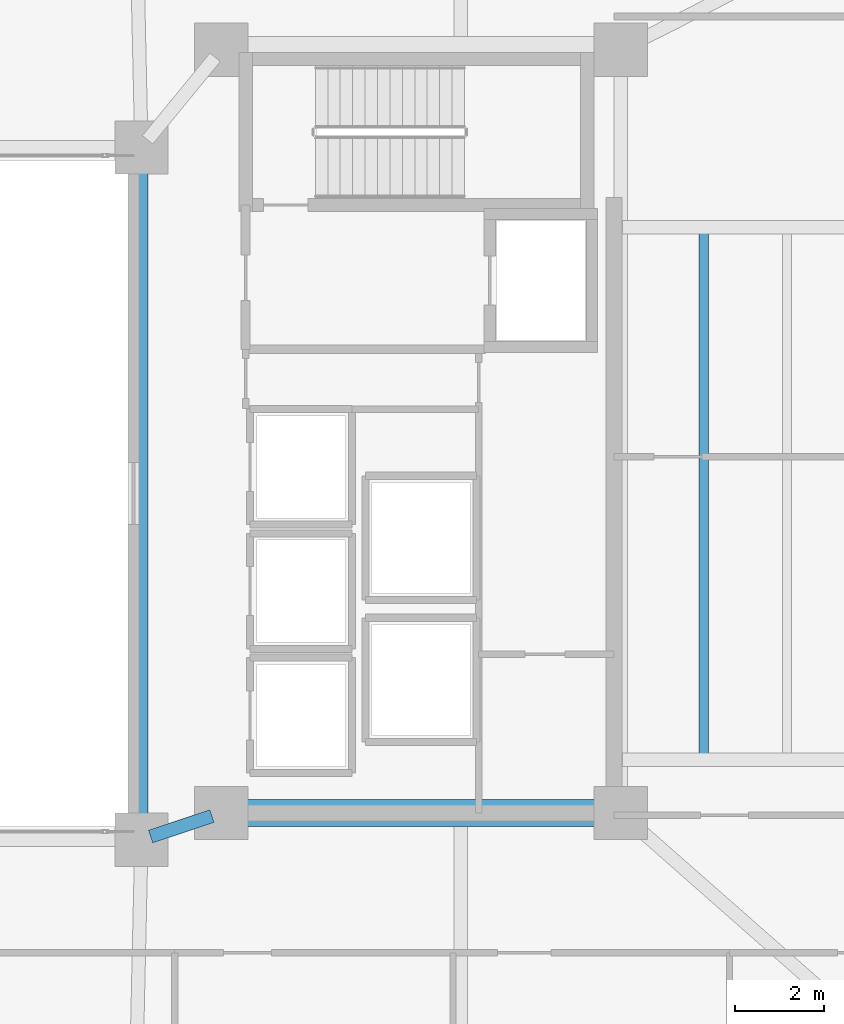
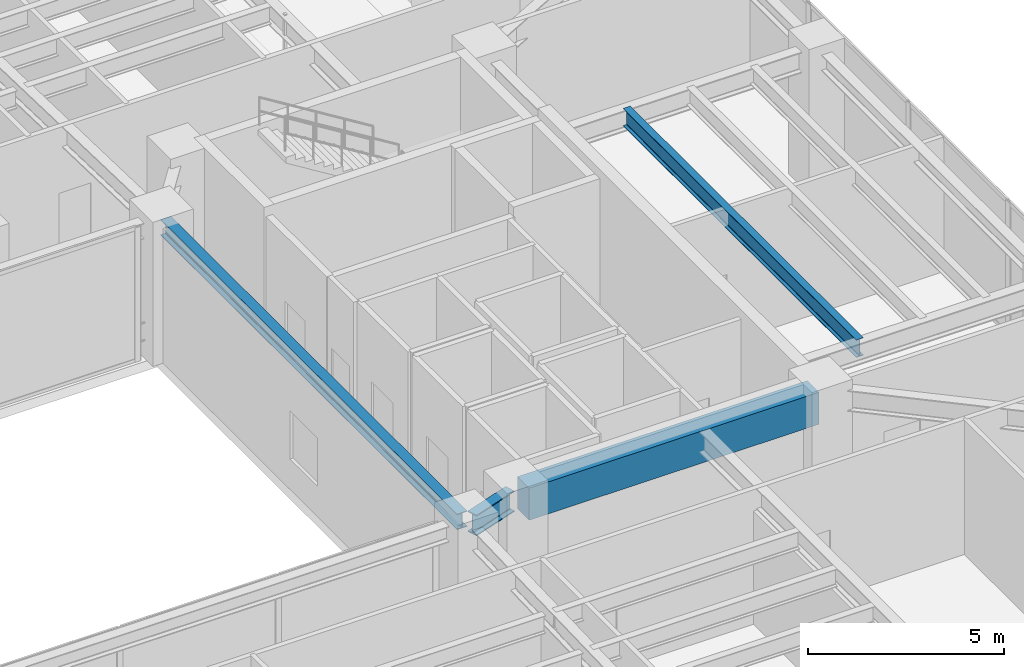
# One storey, part 16 of 38: 4 beams.
"""IFC4 building model written with IfcOpenShell, lengths in metres."""

from ifc_helpers import new_model, si_unit, direction, frame, origin, origin_2d, place, context, subcontext, project, spatial, rectangle, i_section, extrude, material, material_profile, profile_set, type_object, element, save


model = new_model("IFC4")

# Units and contexts
model_context = context("Model", 3, precision=1e-05, world=origin(), true_north=direction((0.0, 1.0)))
body_context = subcontext(model_context, "Body", "Model", "MODEL_VIEW")
ifc_project = project(units=[si_unit("LENGTHUNIT", "METRE"), si_unit("AREAUNIT", "SQUARE_METRE"), si_unit("VOLUMEUNIT", "CUBIC_METRE"), si_unit("PLANEANGLEUNIT", "RADIAN"), si_unit("MASSUNIT", "GRAM", prefix="KILO")], contexts=[model_context])

# Site, building, storey
site_placement = place(None, origin())
site = spatial("IfcSite", under=ifc_project, at=site_placement, CompositionType="ELEMENT")
building_placement = place(site_placement, origin())
building = spatial("IfcBuilding", under=site, at=building_placement, Name="Tarnavaz Court Tower", CompositionType="ELEMENT")
storey_placement = place(building_placement, frame((0.0, 0.0, 123.0)))
storey = spatial("IfcBuildingStorey", under=building, at=storey_placement, Name="L33", CompositionType="ELEMENT", Elevation=123.0)

# Beams
ifc_material_1 = material(Name="Concrete C60/75", Category="concrete")
ifc_material_profile_1 = material_profile(ifc_material_1, rectangle(XDim=0.60009765625, YDim=1.0, at=origin_2d()), Name="RC 600X1000")
ifc_profile_set_1 = profile_set([ifc_material_profile_1], Name="Concrete C60/75")
beam_type_1 = type_object("IfcBeamType", Name="BM-CB1000", PredefinedType="LINTEL", material=ifc_profile_set_1)
beam_1_placement = place(storey_placement, frame((18.3798828125, -7.199951171875, 3.699951171875), z_axis=(-1.0, 0.0, 0.0), x_axis=(0.0, -1.0, 0.0)))
element("IfcBeam", 1, at=beam_1_placement, inside=storey, type_object=beam_type_1, Name="L33 Beam IN-CE-SO-CE-SI", PredefinedType="LINTEL", context=body_context, shape_type="SweptSolid", body=[
    extrude(rectangle(XDim=0.60009765625, YDim=1.0, at=origin_2d()), origin(), (0.0, 0.0, 1.0), 8.559814453125),
])
ifc_material_2 = material(Name="Steel S355", Category="steel")
ifc_material_profile_2 = material_profile(ifc_material_2, i_section(OverallWidth=0.300048828125, OverallDepth=0.64990234375, WebThickness=0.01611328125, FlangeThickness=0.031005859375, FilletRadius=0.027099609375, at=origin_2d()), Name="HEB 650")
ifc_profile_set_2 = profile_set([ifc_material_profile_2], Name="Steel S355")
beam_type_2 = type_object("IfcBeamType", Name="BM-G-HEB650", PredefinedType="USERDEFINED", material=ifc_profile_set_2)
beam_2_placement = place(storey_placement, frame((9.391357421875, -7.26953125, 3.875), z_axis=(-0.948666544706, -0.316278021615, 0.0), x_axis=(0.316278021615, -0.948666544706, 0.0)))
element("IfcBeam", 2, at=beam_2_placement, inside=storey, type_object=beam_type_2, Name="L33 Beam IN-CE-SI-IW-SE", ObjectType="GIRDER", PredefinedType="USERDEFINED", context=body_context, shape_type="SweptSolid", body=[
    extrude(i_section(OverallWidth=0.300048828125, OverallDepth=0.64990234375, WebThickness=0.01611328125, FlangeThickness=0.031005859375, FilletRadius=0.027099609375, at=origin_2d()), origin(), (0.0, 0.0, 1.0), 1.457275390625),
])
ifc_material_profile_3 = material_profile(ifc_material_2, i_section(OverallWidth=0.2099609375, OverallDepth=0.550048828125, WebThickness=0.010986328125, FlangeThickness=0.01708984375, FilletRadius=0.02392578125, at=origin_2d()), Name="IPE 550")
ifc_profile_set_3 = profile_set([ifc_material_profile_3], Name="Steel S355")
beam_type_3 = type_object("IfcBeamType", Name="BM-J-IPE550", PredefinedType="JOIST", material=ifc_profile_set_3)
beam_3_placement = place(storey_placement, frame((20.47509765625, -5.9599609375, 3.925048828125), z_axis=(0.0, 1.0, 0.0), x_axis=(-1.0, 0.0, 0.0)))
element("IfcBeam", 3, at=beam_3_placement, inside=storey, type_object=beam_type_3, Name="L33 Beam JE1", PredefinedType="JOIST", context=body_context, shape_type="SweptSolid", body=[
    extrude(i_section(OverallWidth=0.2099609375, OverallDepth=0.550048828125, WebThickness=0.010986328125, FlangeThickness=0.01708984375, FilletRadius=0.02392578125, at=origin_2d()), origin(), (0.0, 0.0, 1.0), 11.919921875),
])
ifc_material_profile_4 = material_profile(ifc_material_2, i_section(OverallWidth=0.300048828125, OverallDepth=0.489990234375, WebThickness=0.011962890625, FlangeThickness=0.02294921875, FilletRadius=0.027099609375, at=origin_2d()), Name="HEA 500")
ifc_profile_set_4 = profile_set([ifc_material_profile_4], Name="Steel S355")
beam_type_4 = type_object("IfcBeamType", Name="BM-SP-HEA500", PredefinedType="SPANDREL", material=ifc_profile_set_4)
beam_4_placement = place(storey_placement, frame((7.800048828125, -7.580078125, 3.955078125), z_axis=(0.0, 1.0, 0.0), x_axis=(-1.0, 0.0, 0.0)))
element("IfcBeam", 4, at=beam_4_placement, inside=storey, type_object=beam_type_4, Name="L33 Beam IN-IW-SE-IW-NE", PredefinedType="SPANDREL", context=body_context, shape_type="SweptSolid", body=[
    extrude(i_section(OverallWidth=0.300048828125, OverallDepth=0.489990234375, WebThickness=0.011962890625, FlangeThickness=0.02294921875, FilletRadius=0.027099609375, at=origin_2d()), origin(), (0.0, 0.0, 1.0), 15.16015625),
])

save(model, "model.ifc")
